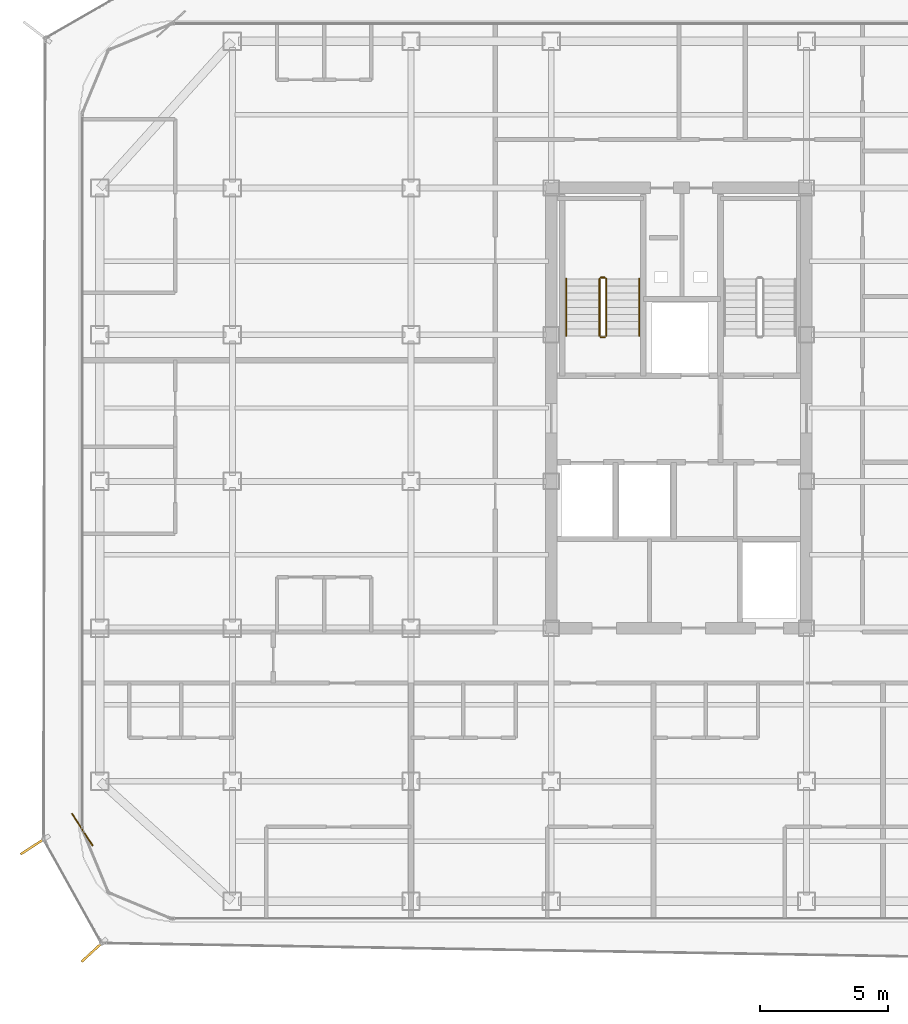
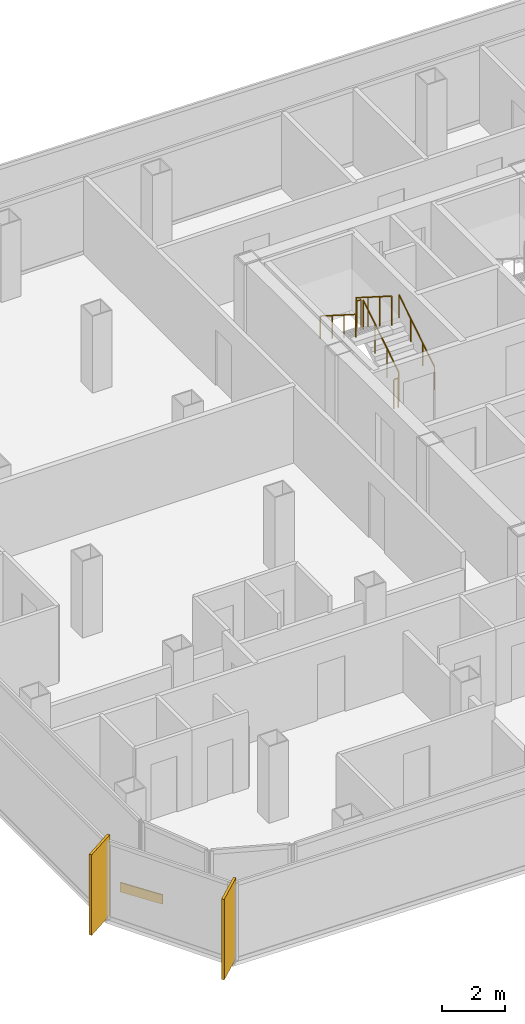
# One storey, part 14 of 16: 6 railings, 2 shading devices, 1 covering.
"""IFC4 building model written with IfcOpenShell, lengths in metres."""

from ifc_helpers import new_model, si_unit, direction, frame, origin, origin_2d, place, context, subcontext, project, spatial, rectangle, circle, extrude, source, transform, mapped, material, layer, layer_set, type_object, element, save


model = new_model("IFC4")

# Units and contexts
model_context = context("Model", 3, precision=1e-05, world=origin(), true_north=direction((0.0, 1.0)))
body_context = subcontext(model_context, "Body", "Model", "MODEL_VIEW")
ifc_project = project(units=[si_unit("LENGTHUNIT", "METRE"), si_unit("AREAUNIT", "SQUARE_METRE"), si_unit("VOLUMEUNIT", "CUBIC_METRE"), si_unit("PLANEANGLEUNIT", "RADIAN"), si_unit("MASSUNIT", "GRAM", prefix="KILO")], contexts=[model_context])

# Site, building, storey
site_placement = place(None, origin())
site = spatial("IfcSite", under=ifc_project, at=site_placement, CompositionType="ELEMENT")
building_placement = place(site_placement, origin())
building = spatial("IfcBuilding", under=site, at=building_placement, Name="Kolveth Station Tower", CompositionType="ELEMENT")
storey_placement = place(building_placement, frame((0.0, 0.0, 206.0)))
storey = spatial("IfcBuildingStorey", under=building, at=storey_placement, Name="L58", CompositionType="ELEMENT", Elevation=206.0)

# Railings
ifc_material_1 = material(Name="Painted Steel S355 balustrade", Category="steel")
railing_type_1 = type_object("IfcRailingType", Name="Guard_GR2", PredefinedType="BALUSTRADE", material=ifc_material_1)
railing_1_placement = place(storey_placement, frame((20.64990234375, 22.949951171875, 0.177734375)))
element("IfcRailing", 1, at=railing_1_placement, inside=storey, type_object=railing_type_1, Name="L58 ST1 stair guard 1", PredefinedType="BALUSTRADE", context=body_context, shape_type="SweptSolid", body=[
    extrude(circle(Radius=0.02392578125, at=origin_2d()), frame((0.0, 0.0, 1.1259765625), z_axis=(0.0, 0.84418770128, 0.536047689118), x_axis=(-1.0, 0.0, 0.0)), (0.0, 0.0, 1.0), 2.6533203125),
    extrude(circle(Radius=0.02099609375, at=origin_2d()), origin(), (0.0, 0.0, 1.0), 1.101806640625),
    extrude(circle(Radius=0.02099609375, at=origin_2d()), frame((0.0, 0.74658203125, 0.47412109375)), (0.0, 0.0, 1.0), 1.101806640625),
    extrude(circle(Radius=0.02099609375, at=origin_2d()), frame((0.0, 1.493408203125, 0.9482421875)), (0.0, 0.0, 1.0), 1.101806640625),
    extrude(circle(Radius=0.02099609375, at=origin_2d()), frame((0.0, 2.239990234375, 1.42236328125)), (0.0, 0.0, 1.0), 1.101806640625),
])
railing_2_placement = place(storey_placement, frame((20.60009765625, 25.239990234375, 1.60009765625)))
element("IfcRailing", 2, at=railing_2_placement, inside=storey, type_object=railing_type_1, Name="L58 ST1 stair guard 2", PredefinedType="BALUSTRADE", context=body_context, shape_type="SweptSolid", body=[
    extrude(circle(Radius=0.02392578125, at=origin_2d()), frame((0.0, 0.0, 1.1259765625), z_axis=(-1.0, 0.0, 0.0), x_axis=(0.0, -1.0, 0.0)), (0.0, 0.0, 1.0), 0.16015625),
    extrude(circle(Radius=0.02099609375, at=origin_2d()), origin(), (0.0, 0.0, 1.0), 1.101806640625),
    extrude(circle(Radius=0.02099609375, at=origin_2d()), frame((-0.16015625, 0.0, 0.0)), (0.0, 0.0, 1.0), 1.101806640625),
])
railing_3_placement = place(storey_placement, frame((20.389892578125, 25.18994140625, 1.77783203125)))
element("IfcRailing", 3, at=railing_3_placement, inside=storey, type_object=railing_type_1, Name="L58 ST1 stair guard 3", PredefinedType="BALUSTRADE", context=body_context, shape_type="SweptSolid", body=[
    extrude(circle(Radius=0.02392578125, at=origin_2d()), frame((0.0, 0.0, 1.1259765625), z_axis=(0.0, -0.8442293374, 0.53598211339), x_axis=(1.0, 0.0, 0.0)), (0.0, 0.0, 1.0), 2.6533203125),
    extrude(circle(Radius=0.02099609375, at=origin_2d()), origin(), (0.0, 0.0, 1.0), 1.101806640625),
    extrude(circle(Radius=0.02099609375, at=origin_2d()), frame((0.0, -0.74658203125, 0.47412109375)), (0.0, 0.0, 1.0), 1.101806640625),
    extrude(circle(Radius=0.02099609375, at=origin_2d()), frame((0.0, -1.493408203125, 0.947998046875)), (0.0, 0.0, 1.0), 1.101806640625),
    extrude(circle(Radius=0.02099609375, at=origin_2d()), frame((0.0, -2.239990234375, 1.422119140625)), (0.0, 0.0, 1.0), 1.101806640625),
])
railing_4_placement = place(storey_placement, frame((20.60009765625, 22.89990234375, 0.0)))
element("IfcRailing", 4, at=railing_4_placement, inside=storey, type_object=railing_type_1, Name="L58 ST1 stair guard 4", PredefinedType="BALUSTRADE", context=body_context, shape_type="SweptSolid", body=[
    extrude(circle(Radius=0.02392578125, at=origin_2d()), frame((0.0, 0.0, 1.1259765625), z_axis=(-1.0, 0.0, 0.0), x_axis=(0.0, -1.0, 0.0)), (0.0, 0.0, 1.0), 0.16015625),
    extrude(circle(Radius=0.02099609375, at=origin_2d()), origin(), (0.0, 0.0, 1.0), 1.101806640625),
    extrude(circle(Radius=0.02099609375, at=origin_2d()), frame((-0.16015625, 0.0, 0.0)), (0.0, 0.0, 1.0), 1.101806640625),
])
ifc_material_2 = material(Name="Brushed stainless steel", Category="steel")
railing_type_2 = type_object("IfcRailingType", Name="Handrail_HR1", PredefinedType="HANDRAIL", material=ifc_material_2)
railing_5_placement = place(storey_placement, frame((21.949951171875, 22.949951171875, 0.177734375)))
element("IfcRailing", 5, at=railing_5_placement, inside=storey, type_object=railing_type_2, Name="L58 ST1 stair handrail 1", PredefinedType="HANDRAIL", context=body_context, shape_type="SweptSolid", body=[
    extrude(circle(Radius=0.02392578125, at=origin_2d()), frame((0.0, 0.0, 0.8759765625), z_axis=(0.0, 0.84418770128, 0.536047689118), x_axis=(-1.0, 0.0, 0.0)), (0.0, 0.0, 1.0), 2.6533203125),
    extrude(circle(Radius=0.02099609375, at=origin_2d()), origin(), (0.0, 0.0, 1.0), 0.851806640625),
    extrude(circle(Radius=0.02099609375, at=origin_2d()), frame((0.0, 0.74658203125, 0.47412109375)), (0.0, 0.0, 1.0), 0.851806640625),
    extrude(circle(Radius=0.02099609375, at=origin_2d()), frame((0.0, 1.493408203125, 0.9482421875)), (0.0, 0.0, 1.0), 0.851806640625),
    extrude(circle(Radius=0.02099609375, at=origin_2d()), frame((0.0, 2.239990234375, 1.42236328125)), (0.0, 0.0, 1.0), 0.851806640625),
])
railing_6_placement = place(storey_placement, frame((19.090087890625, 25.18994140625, 1.77783203125)))
element("IfcRailing", 6, at=railing_6_placement, inside=storey, type_object=railing_type_2, Name="L58 ST1 stair handrail 2", PredefinedType="HANDRAIL", context=body_context, shape_type="SweptSolid", body=[
    extrude(circle(Radius=0.02392578125, at=origin_2d()), frame((0.0, 0.0, 0.8759765625), z_axis=(0.0, -0.8442293374, 0.53598211339), x_axis=(1.0, 0.0, 0.0)), (0.0, 0.0, 1.0), 2.6533203125),
    extrude(circle(Radius=0.02099609375, at=origin_2d()), origin(), (0.0, 0.0, 1.0), 0.851806640625),
    extrude(circle(Radius=0.02099609375, at=origin_2d()), frame((0.0, -0.74658203125, 0.47412109375)), (0.0, 0.0, 1.0), 0.851806640625),
    extrude(circle(Radius=0.02099609375, at=origin_2d()), frame((0.0, -1.493408203125, 0.947998046875)), (0.0, 0.0, 1.0), 0.851806640625),
    extrude(circle(Radius=0.02099609375, at=origin_2d()), frame((0.0, -2.239990234375, 1.422119140625)), (0.0, 0.0, 1.0), 0.851806640625),
])

# Shading devices
ifc_material_3 = material(Name="Black anodized aluminium 6063-T6", Category="aluminium")
shading_device_type = type_object("IfcShadingDeviceType", Name="FIN_VF1", PredefinedType="USERDEFINED", material=ifc_material_3)
shared_shape_1 = source(origin(), body_context, "Body", "SweptSolid", [
    extrude(rectangle(XDim=1.25, YDim=0.090087890625, at=origin_2d()), origin(), (0.0, 0.0, 1.0), 3.10009765625),
])
for number, where, z_axis, x_axis, name in (
    (7, (-1.77392578125, 2.97705078125, 0.0), (0.0, 0.0, 1.0), (-0.839525049921, -0.543320982988, 0.0), "L58 Dark-Aluminium Solar Fin 7"),
    (8, (0.547119140625, -1.153076171875, 0.0), (0.0, 0.0, 1.0), (-0.734559410853, -0.678544377272, 0.0), "L58 Dark-Aluminium Solar Fin 8"),
):
    element("IfcShadingDevice", number, at=place(storey_placement, frame(where, z_axis=z_axis, x_axis=x_axis)), inside=storey, type_object=shading_device_type, Name=name, ObjectType="FIN", PredefinedType="USERDEFINED", context=body_context, shape_type="MappedRepresentation", body=[
        mapped(shared_shape_1, transform((0.0, 0.0, 0.0), x_axis=(1.0, 0.0, 0.0), y_axis=(0.0, 1.0, 0.0), z_axis=(0.0, 0.0, 1.0), scale=1.0)),
    ])

# Covering
ifc_material_4 = material(Name="Charcoal anodized aluminium spandrel cladding", Category="aluminium")
ifc_layer = layer(ifc_material_4, 0.044921875)
ifc_layer_set = layer_set([ifc_layer], Name="Charcoal anodized aluminium spandrel cladding")
covering_type = type_object("IfcCoveringType", Name="Clad_CD1", PredefinedType="CLADDING", material=ifc_layer_set)
shared_shape_2 = source(origin(), body_context, "Body", "SweptSolid", [
    extrude(rectangle(XDim=1.5, YDim=0.044921875, at=origin_2d()), origin(), (0.0, 0.0, 1.0), 0.360107421875),
])
covering_placement = place(storey_placement, frame((0.1201171875, 3.60009765625, 0.0), z_axis=(0.0, 0.0, 1.0), x_axis=(0.543320982988, -0.839525049921, 0.0)))
element("IfcCovering", 9, at=covering_placement, inside=storey, type_object=covering_type, Name="L58 Spandrel Edge Cladding 7", PredefinedType="CLADDING", context=body_context, shape_type="MappedRepresentation", body=[
    mapped(shared_shape_2, transform((0.0, 0.0, 0.0), x_axis=(1.0, 0.0, 0.0), y_axis=(0.0, 1.0, 0.0), z_axis=(0.0, 0.0, 1.0), scale=1.0)),
])

save(model, "model.ifc")
